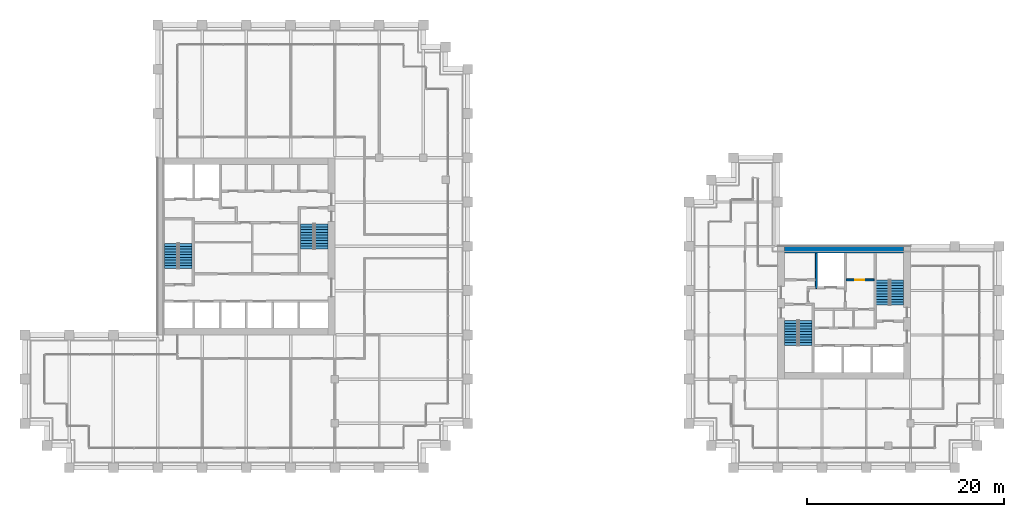
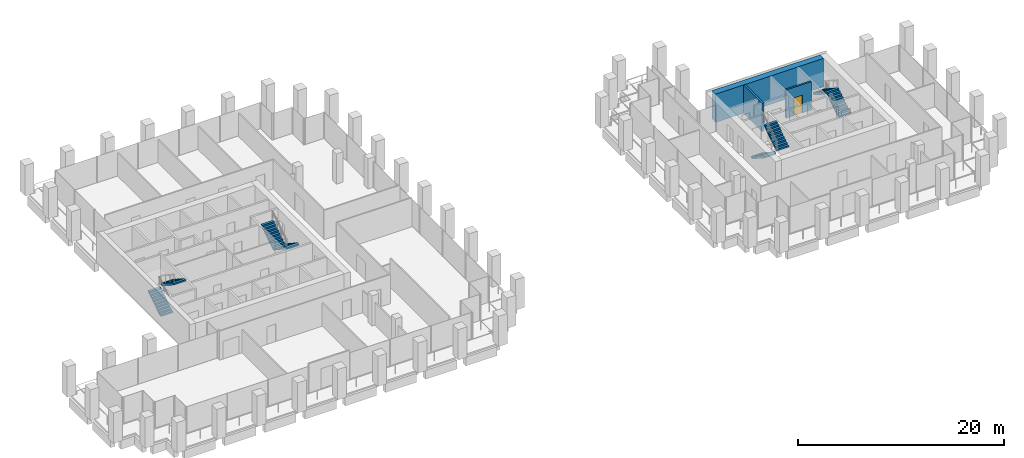
# One storey, part 44 of 46: 8 stair flights, 3 walls, 1 door, 1 opening, 4 elements without a shape of their own.
"""IFC4 building model written with IfcOpenShell, lengths in metres."""

from ifc_helpers import new_model, si_unit, direction, frame, frame_2d, origin, place, context, subcontext, project, spatial, polyline, rectangle, outline, extrude, material, layer, layer_set, type_object, element, fill, aggregate, save


model = new_model("IFC4")

# Units and contexts
model_context = context("Model", 3, precision=1e-05, world=origin(), true_north=direction((0.0, 1.0)))
body_context = subcontext(model_context, "Body", "Model", "MODEL_VIEW")
ifc_project = project(units=[si_unit("LENGTHUNIT", "METRE"), si_unit("AREAUNIT", "SQUARE_METRE"), si_unit("VOLUMEUNIT", "CUBIC_METRE"), si_unit("PLANEANGLEUNIT", "RADIAN"), si_unit("MASSUNIT", "GRAM", prefix="KILO")], contexts=[model_context])

# Site, building, storey
site_placement = place(None, origin())
site = spatial("IfcSite", under=ifc_project, at=site_placement, CompositionType="ELEMENT")
building_placement = place(site_placement, origin())
building = spatial("IfcBuilding", under=site, at=building_placement, Name="Altepetl Exchange Towers", CompositionType="ELEMENT")
storey_placement = place(building_placement, frame((0.0, 0.0, 124.39990234375)))
storey = spatial("IfcBuildingStorey", under=building, at=storey_placement, Name="L30", CompositionType="ELEMENT", Elevation=124.39990234375)

# Walls
ifc_material_1 = material(Name="Concrete C70/85", Category="concrete")
ifc_layer_1 = layer(ifc_material_1, 0.699951171875)
ifc_layer_set_1 = layer_set([ifc_layer_1], Name="Concrete C70/85")
wall_type_1 = type_object("IfcWallType", Name="Core wall 700 reinforced concrete external", PredefinedType="SHEAR", material=ifc_layer_set_1)
wall_1_placement = place(storey_placement, frame((104.199951171875, 49.14990234375, 0.0)))
element("IfcWall", 1, at=wall_1_placement, inside=storey, type_object=wall_type_1, Name="wall:B:L30:K-coreN", PredefinedType="SHEAR", context=body_context, shape_type="SweptSolid", body=[
    extrude(rectangle(XDim=12.10009765625, YDim=0.699951171875, at=frame_2d((6.050048828125, 0.0))), origin(), (0.0, 0.0, 1.0), 3.35009765625),
])
ifc_material_2 = material(Name="Concrete C40/50", Category="concrete")
ifc_layer_2 = layer(ifc_material_2, 0.199951171875)
ifc_layer_set_2 = layer_set([ifc_layer_2], Name="Concrete C40/50")
wall_type_2 = type_object("IfcWallType", Name="Shaft wall 200 reinforced concrete", PredefinedType="SHEAR", material=ifc_layer_set_2)
wall_2_placement = place(storey_placement, frame((107.433349609375, 48.800048828125, 0.0), z_axis=(0.0, 0.0, 1.0), x_axis=(0.0, -1.0, 0.0)))
element("IfcWall", 2, at=wall_2_placement, inside=storey, type_object=wall_type_2, Name="wall:B:L30:K-divN1", PredefinedType="SHEAR", context=body_context, shape_type="SweptSolid", body=[
    extrude(rectangle(XDim=3.60009765625, YDim=0.199951171875, at=frame_2d((1.800048828125, 0.0))), origin(), (0.0, 0.0, 1.0), 3.35009765625),
])

# Wall, opening, door
wall_3_placement = place(storey_placement, frame((110.466796875, 46.10009765625, 0.0)))
wall_3 = element("IfcWall", 3, at=wall_3_placement, inside=storey, type_object=wall_type_2, Name="wall:B:L30:K-frontNb", PredefinedType="SHEAR", context=body_context, shape_type="SweptSolid", body=[
    extrude(rectangle(XDim=2.833251953125, YDim=0.199951171875, at=frame_2d((1.41650390625, 0.0))), origin(), (0.0, 0.0, 1.0), 3.35009765625),
])
opening_placement = place(wall_3_placement, frame((0.91650390625, 0.0, 0.0)))
opening = element("IfcOpeningElement", 4, at=opening_placement, cuts=wall_3, Name="Opening L30.B69", PredefinedType="OPENING", context=body_context, shape_type="SweptSolid", body=[
    extrude(rectangle(XDim=0.89990234375, YDim=2.10009765625, at=frame_2d((0.449951171875, 1.050048828125))), frame((0.0, 0.10986328125, 0.0), z_axis=(0.0, -1.0, 0.0), x_axis=(1.0, 0.0, 0.0)), (0.0, 0.0, 1.0), 0.219970703125),
])
ifc_material_3 = material(Name="Steel and timber fire door", Category="steel")
door_type = type_object("IfcDoorType", Name="Fire door 900 x 2100 service room", OperationType="SINGLE_SWING_LEFT", PredefinedType="DOOR", material=ifc_material_3)
door_placement = place(opening_placement, origin())
door = element("IfcDoor", 5, at=door_placement, inside=storey, type_object=door_type, Name="door:B:L30:K-dslotN2", OperationType="SINGLE_SWING_RIGHT", OverallHeight=2.10009765625, OverallWidth=0.89990234375, PredefinedType="DOOR", context=body_context, shape_type="SweptSolid", body=[
    extrude(rectangle(XDim=0.89990234375, YDim=2.10009765625, at=frame_2d((0.449951171875, 1.050048828125))), frame((0.0, 0.02490234375, 0.0), z_axis=(0.0, -1.0, 0.0), x_axis=(1.0, 0.0, 0.0)), (0.0, 0.0, 1.0), 0.050048828125),
])
fill(opening, door)

# Stair, stair flights
stair_type = type_object("IfcStairType", Name="Exit stair 1350 flights dogleg", PredefinedType="HALF_TURN_STAIR", material=ifc_material_2)
stair_1_placement = place(storey_placement, origin())
stair_1 = element("IfcStair", 6, at=stair_1_placement, inside=storey, type_object=stair_type, Name="Exit stair 1", PredefinedType="HALF_TURN_STAIR")
stair_flight_type = type_object("IfcStairFlightType", Name="Stair flight 1350 wide", PredefinedType="STRAIGHT", material=ifc_material_2)
stair_flight_1_placement = place(storey_placement, frame((41.875, 47.25, 0.0), z_axis=(0.0, 0.0, 1.0), x_axis=(0.0, 1.0, 0.0)))
stair_flight_1 = element("IfcStairFlight", 7, at=stair_flight_1_placement, type_object=stair_flight_type, Name="ST-A1d flight 1", NumberOfRisers=10, NumberOfTreads=9, PredefinedType="STRAIGHT", RiserHeight=0.18, TreadLength=0.28, context=body_context, shape_type="SweptSolid", body=[
    extrude(outline(polyline([(0.0, 0.0), (0.0, 0.179931640625), (0.280029296875, 0.179931640625), (0.280029296875, 0.360107421875), (0.56005859375, 0.360107421875), (0.56005859375, 0.5400390625), (0.840087890625, 0.5400390625), (0.840087890625, 0.719970703125), (1.1201171875, 0.719970703125), (1.1201171875, 0.89990234375), (1.39990234375, 0.89990234375), (1.39990234375, 1.080078125), (1.679931640625, 1.080078125), (1.679931640625, 1.260009765625), (1.9599609375, 1.260009765625), (1.9599609375, 1.43994140625), (2.239990234375, 1.43994140625), (2.239990234375, 1.6201171875), (2.52001953125, 1.6201171875), (2.52001953125, 1.800048828125), (2.52001953125, 1.44189453125), (0.277099609375, 0.0), (0.0, 0.0)])), frame((0.0, 0.675048828125, 0.0), z_axis=(0.0, -1.0, 0.0), x_axis=(1.0, 0.0, 0.0)), (0.0, 0.0, 1.0), 1.35009765625),
])
stair_flight_2_placement = place(storey_placement, frame((43.324951171875, 49.77001953125, 1.800048828125), z_axis=(0.0, 0.0, 1.0), x_axis=(0.0, -1.0, 0.0)))
stair_flight_2 = element("IfcStairFlight", 8, at=stair_flight_2_placement, type_object=stair_flight_type, Name="ST-A1d flight 2", NumberOfRisers=10, NumberOfTreads=9, PredefinedType="STRAIGHT", RiserHeight=0.18, TreadLength=0.28, context=body_context, shape_type="SweptSolid", body=[
    extrude(outline(polyline([(0.0, 0.0), (0.0, 0.179931640625), (0.280029296875, 0.179931640625), (0.280029296875, 0.360107421875), (0.56005859375, 0.360107421875), (0.56005859375, 0.5400390625), (0.840087890625, 0.5400390625), (0.840087890625, 0.719970703125), (1.1201171875, 0.719970703125), (1.1201171875, 0.89990234375), (1.39990234375, 0.89990234375), (1.39990234375, 1.080078125), (1.679931640625, 1.080078125), (1.679931640625, 1.260009765625), (1.9599609375, 1.260009765625), (1.9599609375, 1.43994140625), (2.239990234375, 1.43994140625), (2.239990234375, 1.6201171875), (2.52001953125, 1.6201171875), (2.52001953125, 1.800048828125), (2.52001953125, 1.44189453125), (0.277099609375, 0.0), (0.0, 0.0)])), frame((0.0, 0.675048828125, 0.0), z_axis=(0.0, -1.0, 0.0), x_axis=(1.0, 0.0, 0.0)), (0.0, 0.0, 1.0), 1.35009765625),
])
aggregate(stair_1, [stair_flight_1, stair_flight_2])

stair_2_placement = place(storey_placement, origin())
stair_2 = element("IfcStair", 9, at=stair_2_placement, inside=storey, type_object=stair_type, Name="Exit stair 2", PredefinedType="HALF_TURN_STAIR")
stair_flight_3_placement = place(storey_placement, frame((57.125, 51.75, 0.0), z_axis=(0.0, 0.0, 1.0), x_axis=(0.0, -1.0, 0.0)))
stair_flight_3 = element("IfcStairFlight", 10, at=stair_flight_3_placement, type_object=stair_flight_type, Name="ST-A2d flight 1", NumberOfRisers=10, NumberOfTreads=9, PredefinedType="STRAIGHT", RiserHeight=0.18, TreadLength=0.28, context=body_context, shape_type="SweptSolid", body=[
    extrude(outline(polyline([(0.0, 0.0), (0.0, 0.179931640625), (0.280029296875, 0.179931640625), (0.280029296875, 0.360107421875), (0.56005859375, 0.360107421875), (0.56005859375, 0.5400390625), (0.840087890625, 0.5400390625), (0.840087890625, 0.719970703125), (1.1201171875, 0.719970703125), (1.1201171875, 0.89990234375), (1.39990234375, 0.89990234375), (1.39990234375, 1.080078125), (1.679931640625, 1.080078125), (1.679931640625, 1.260009765625), (1.9599609375, 1.260009765625), (1.9599609375, 1.43994140625), (2.239990234375, 1.43994140625), (2.239990234375, 1.6201171875), (2.52001953125, 1.6201171875), (2.52001953125, 1.800048828125), (2.52001953125, 1.44189453125), (0.277099609375, 0.0), (0.0, 0.0)])), frame((0.0, 0.675048828125, 0.0), z_axis=(0.0, -1.0, 0.0), x_axis=(1.0, 0.0, 0.0)), (0.0, 0.0, 1.0), 1.35009765625),
])
stair_flight_4_placement = place(storey_placement, frame((55.675048828125, 49.22998046875, 1.800048828125), z_axis=(0.0, 0.0, 1.0), x_axis=(0.0, 1.0, 0.0)))
stair_flight_4 = element("IfcStairFlight", 11, at=stair_flight_4_placement, type_object=stair_flight_type, Name="ST-A2d flight 2", NumberOfRisers=10, NumberOfTreads=9, PredefinedType="STRAIGHT", RiserHeight=0.18, TreadLength=0.28, context=body_context, shape_type="SweptSolid", body=[
    extrude(outline(polyline([(0.0, 0.0), (0.0, 0.179931640625), (0.280029296875, 0.179931640625), (0.280029296875, 0.360107421875), (0.56005859375, 0.360107421875), (0.56005859375, 0.5400390625), (0.840087890625, 0.5400390625), (0.840087890625, 0.719970703125), (1.1201171875, 0.719970703125), (1.1201171875, 0.89990234375), (1.39990234375, 0.89990234375), (1.39990234375, 1.080078125), (1.679931640625, 1.080078125), (1.679931640625, 1.260009765625), (1.9599609375, 1.260009765625), (1.9599609375, 1.43994140625), (2.239990234375, 1.43994140625), (2.239990234375, 1.6201171875), (2.52001953125, 1.6201171875), (2.52001953125, 1.800048828125), (2.52001953125, 1.44189453125), (0.277099609375, 0.0), (0.0, 0.0)])), frame((0.0, 0.675048828125, 0.0), z_axis=(0.0, -1.0, 0.0), x_axis=(1.0, 0.0, 0.0)), (0.0, 0.0, 1.0), 1.35009765625),
])
aggregate(stair_2, [stair_flight_3, stair_flight_4])

stair_3_placement = place(storey_placement, origin())
stair_3 = element("IfcStair", 12, at=stair_3_placement, inside=storey, type_object=stair_type, Name="Exit stair 1", PredefinedType="HALF_TURN_STAIR")
stair_flight_5_placement = place(storey_placement, frame((104.875, 41.949951171875, 0.0), z_axis=(0.0, 0.0, 1.0), x_axis=(0.0, -1.0, 0.0)))
stair_flight_5 = element("IfcStairFlight", 13, at=stair_flight_5_placement, type_object=stair_flight_type, Name="ST-B1d flight 1", NumberOfRisers=10, NumberOfTreads=9, PredefinedType="STRAIGHT", RiserHeight=0.18, TreadLength=0.28, context=body_context, shape_type="SweptSolid", body=[
    extrude(outline(polyline([(0.0, 0.0), (0.0, 0.179931640625), (0.280029296875, 0.179931640625), (0.280029296875, 0.360107421875), (0.56005859375, 0.360107421875), (0.56005859375, 0.5400390625), (0.840087890625, 0.5400390625), (0.840087890625, 0.719970703125), (1.1201171875, 0.719970703125), (1.1201171875, 0.89990234375), (1.39990234375, 0.89990234375), (1.39990234375, 1.080078125), (1.679931640625, 1.080078125), (1.679931640625, 1.260009765625), (1.9599609375, 1.260009765625), (1.9599609375, 1.43994140625), (2.239990234375, 1.43994140625), (2.239990234375, 1.6201171875), (2.52001953125, 1.6201171875), (2.52001953125, 1.800048828125), (2.52001953125, 1.44189453125), (0.277099609375, 0.0), (0.0, 0.0)])), frame((0.0, 0.675048828125, 0.0), z_axis=(0.0, -1.0, 0.0), x_axis=(1.0, 0.0, 0.0)), (0.0, 0.0, 1.0), 1.35009765625),
])
stair_flight_6_placement = place(storey_placement, frame((106.324951171875, 39.429931640625, 1.800048828125), z_axis=(0.0, 0.0, 1.0), x_axis=(0.0, 1.0, 0.0)))
stair_flight_6 = element("IfcStairFlight", 14, at=stair_flight_6_placement, type_object=stair_flight_type, Name="ST-B1d flight 2", NumberOfRisers=10, NumberOfTreads=9, PredefinedType="STRAIGHT", RiserHeight=0.18, TreadLength=0.28, context=body_context, shape_type="SweptSolid", body=[
    extrude(outline(polyline([(0.0, 0.0), (0.0, 0.179931640625), (0.280029296875, 0.179931640625), (0.280029296875, 0.360107421875), (0.56005859375, 0.360107421875), (0.56005859375, 0.5400390625), (0.840087890625, 0.5400390625), (0.840087890625, 0.719970703125), (1.1201171875, 0.719970703125), (1.1201171875, 0.89990234375), (1.39990234375, 0.89990234375), (1.39990234375, 1.080078125), (1.679931640625, 1.080078125), (1.679931640625, 1.260009765625), (1.9599609375, 1.260009765625), (1.9599609375, 1.43994140625), (2.239990234375, 1.43994140625), (2.239990234375, 1.6201171875), (2.52001953125, 1.6201171875), (2.52001953125, 1.800048828125), (2.52001953125, 1.44189453125), (0.277099609375, 0.0), (0.0, 0.0)])), frame((0.0, 0.675048828125, 0.0), z_axis=(0.0, -1.0, 0.0), x_axis=(1.0, 0.0, 0.0)), (0.0, 0.0, 1.0), 1.35009765625),
])
aggregate(stair_3, [stair_flight_5, stair_flight_6])

stair_4_placement = place(storey_placement, origin())
stair_4 = element("IfcStair", 15, at=stair_4_placement, inside=storey, type_object=stair_type, Name="Exit stair 2", PredefinedType="HALF_TURN_STAIR")
stair_flight_7_placement = place(storey_placement, frame((115.625, 43.550048828125, 0.0), z_axis=(0.0, 0.0, 1.0), x_axis=(0.0, 1.0, 0.0)))
stair_flight_7 = element("IfcStairFlight", 16, at=stair_flight_7_placement, type_object=stair_flight_type, Name="ST-B2d flight 1", NumberOfRisers=10, NumberOfTreads=9, PredefinedType="STRAIGHT", RiserHeight=0.18, TreadLength=0.28, context=body_context, shape_type="SweptSolid", body=[
    extrude(outline(polyline([(0.0, 0.0), (0.0, 0.179931640625), (0.280029296875, 0.179931640625), (0.280029296875, 0.360107421875), (0.56005859375, 0.360107421875), (0.56005859375, 0.5400390625), (0.840087890625, 0.5400390625), (0.840087890625, 0.719970703125), (1.1201171875, 0.719970703125), (1.1201171875, 0.89990234375), (1.39990234375, 0.89990234375), (1.39990234375, 1.080078125), (1.679931640625, 1.080078125), (1.679931640625, 1.260009765625), (1.9599609375, 1.260009765625), (1.9599609375, 1.43994140625), (2.239990234375, 1.43994140625), (2.239990234375, 1.6201171875), (2.52001953125, 1.6201171875), (2.52001953125, 1.800048828125), (2.52001953125, 1.44189453125), (0.277099609375, 0.0), (0.0, 0.0)])), frame((0.0, 0.675048828125, 0.0), z_axis=(0.0, -1.0, 0.0), x_axis=(1.0, 0.0, 0.0)), (0.0, 0.0, 1.0), 1.35009765625),
])
stair_flight_8_placement = place(storey_placement, frame((114.175048828125, 46.070068359375, 1.800048828125), z_axis=(0.0, 0.0, 1.0), x_axis=(0.0, -1.0, 0.0)))
stair_flight_8 = element("IfcStairFlight", 17, at=stair_flight_8_placement, type_object=stair_flight_type, Name="ST-B2d flight 2", NumberOfRisers=10, NumberOfTreads=9, PredefinedType="STRAIGHT", RiserHeight=0.18, TreadLength=0.28, context=body_context, shape_type="SweptSolid", body=[
    extrude(outline(polyline([(0.0, 0.0), (0.0, 0.179931640625), (0.280029296875, 0.179931640625), (0.280029296875, 0.360107421875), (0.56005859375, 0.360107421875), (0.56005859375, 0.5400390625), (0.840087890625, 0.5400390625), (0.840087890625, 0.719970703125), (1.1201171875, 0.719970703125), (1.1201171875, 0.89990234375), (1.39990234375, 0.89990234375), (1.39990234375, 1.080078125), (1.679931640625, 1.080078125), (1.679931640625, 1.260009765625), (1.9599609375, 1.260009765625), (1.9599609375, 1.43994140625), (2.239990234375, 1.43994140625), (2.239990234375, 1.6201171875), (2.52001953125, 1.6201171875), (2.52001953125, 1.800048828125), (2.52001953125, 1.44189453125), (0.277099609375, 0.0), (0.0, 0.0)])), frame((0.0, 0.675048828125, 0.0), z_axis=(0.0, -1.0, 0.0), x_axis=(1.0, 0.0, 0.0)), (0.0, 0.0, 1.0), 1.35009765625),
])
aggregate(stair_4, [stair_flight_7, stair_flight_8])

save(model, "model.ifc")
